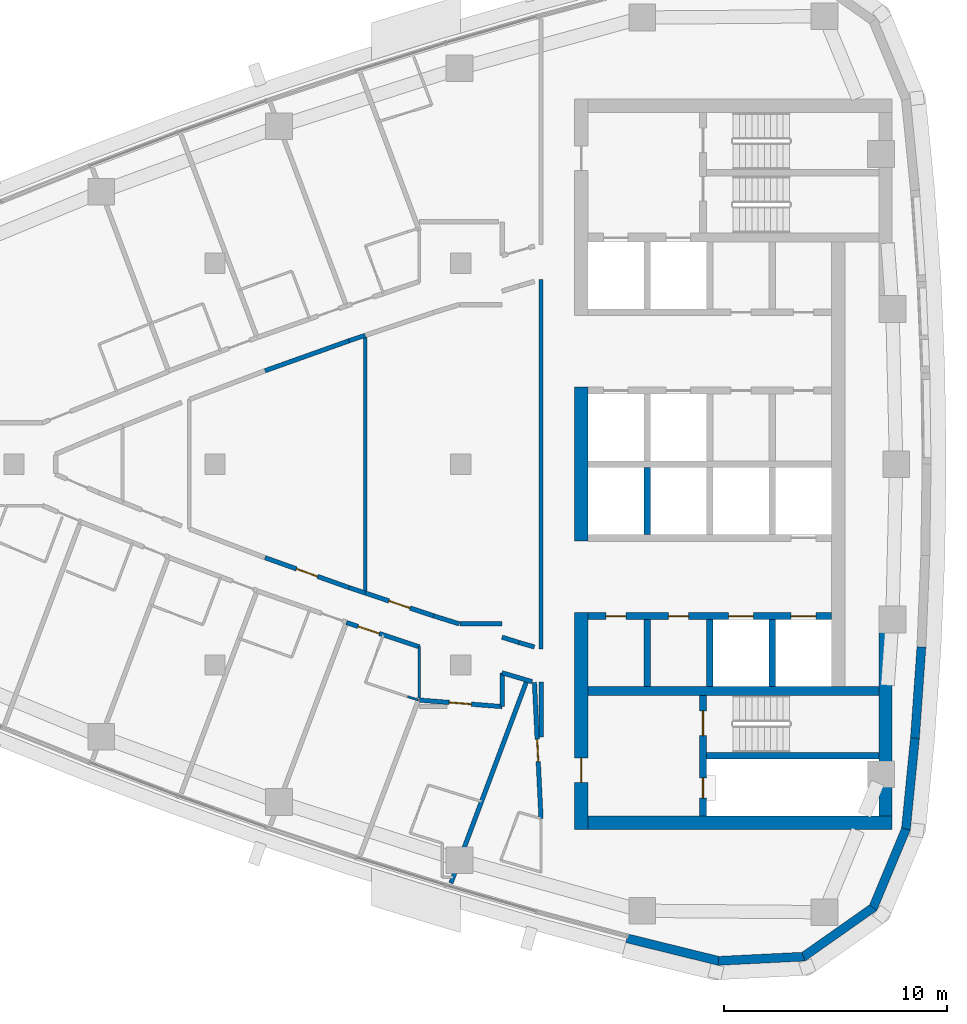
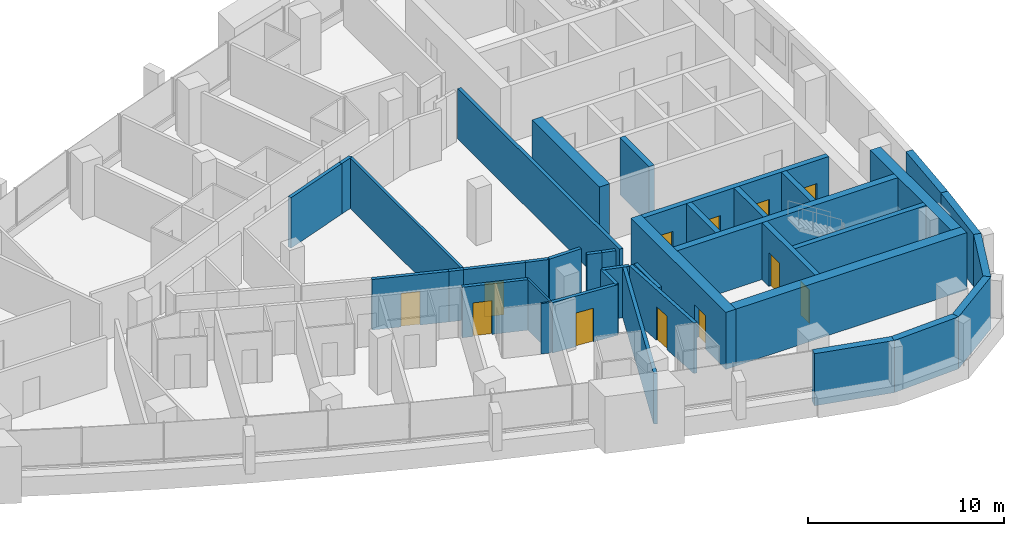
# One storey, part 10 of 16: 38 walls, 12 doors, 12 openings.
"""IFC4 building model written with IfcOpenShell, lengths in metres."""

from ifc_helpers import new_model, si_unit, direction, frame, frame_2d, origin, place, context, subcontext, project, spatial, polyline, rectangle, outline, extrude, material, layer, layer_set, type_object, element, fill, save


model = new_model("IFC4")

# Units and contexts
model_context = context("Model", 3, precision=1e-05, world=origin(), true_north=direction((0.0, 1.0)))
body_context = subcontext(model_context, "Body", "Model", "MODEL_VIEW")
ifc_project = project(units=[si_unit("LENGTHUNIT", "METRE"), si_unit("AREAUNIT", "SQUARE_METRE"), si_unit("VOLUMEUNIT", "CUBIC_METRE"), si_unit("PLANEANGLEUNIT", "RADIAN"), si_unit("MASSUNIT", "GRAM", prefix="KILO")], contexts=[model_context])

# Site, building, storey
site_placement = place(None, origin())
site = spatial("IfcSite", under=ifc_project, at=site_placement, CompositionType="ELEMENT")
building_placement = place(site_placement, origin())
building = spatial("IfcBuilding", under=site, at=building_placement, Name="Ostrand Prow Hotel Tower", CompositionType="ELEMENT")
storey_placement = place(building_placement, frame((0.0, 0.0, 252.75)))
storey = spatial("IfcBuildingStorey", under=building, at=storey_placement, Name="L64", CompositionType="ELEMENT", Elevation=252.75)

# Wall, openings, doors
ifc_material_1 = material(Name="Concrete C50/60", Category="concrete")
ifc_layer_1 = layer(ifc_material_1, 0.300048828125)
ifc_layer_set_1 = layer_set([ifc_layer_1], Name="Concrete C50/60")
wall_type_1 = type_object("IfcWallType", Name="Core wall 300 C50/60", PredefinedType="SHEAR", material=ifc_layer_set_1)
wall_1_placement = place(storey_placement, frame((50.699951171875, -6.800048828125, 0.0), z_axis=(0.0, 0.0, 1.0), x_axis=(1.0, 0.0, 0.0)))
wall_1 = element("IfcWall", 1, at=wall_1_placement, inside=storey, type_object=wall_type_1, Name="Core wall PW-L2-S", PredefinedType="SHEAR", context=body_context, shape_type="SweptSolid", body=[
    extrude(rectangle(XDim=10.900146484375, YDim=0.300048828125, at=frame_2d((5.4501953125, 0.0))), origin(), (0.0, 0.0, 1.0), 3.550048828125),
])
opening_1_placement = place(wall_1_placement, frame((6.300048828125, 0.0, 0.0)))
opening_1 = element("IfcOpeningElement", 2, at=opening_1_placement, cuts=wall_1, Name="Opening LD", PredefinedType="OPENING", context=body_context, shape_type="SweptSolid", body=[
    extrude(rectangle(XDim=1.10009765625, YDim=2.10009765625, at=frame_2d((0.550048828125, 1.050048828125))), frame((0.0, 0.159912109375, 0.0), z_axis=(0.0, -1.0, 0.0), x_axis=(1.0, 0.0, 0.0)), (0.0, 0.0, 1.0), 0.320068359375),
])
opening_2_placement = place(wall_1_placement, frame((9.10009765625, 0.0, 0.0)))
opening_2 = element("IfcOpeningElement", 3, at=opening_2_placement, cuts=wall_1, Name="Opening LD", PredefinedType="OPENING", context=body_context, shape_type="SweptSolid", body=[
    extrude(rectangle(XDim=1.10009765625, YDim=2.10009765625, at=frame_2d((0.550048828125, 1.050048828125))), frame((0.0, 0.159912109375, 0.0), z_axis=(0.0, -1.0, 0.0), x_axis=(1.0, 0.0, 0.0)), (0.0, 0.0, 1.0), 0.320068359375),
])
opening_3_placement = place(wall_1_placement, frame((0.800048828125, 0.0, 0.0)))
opening_3 = element("IfcOpeningElement", 4, at=opening_3_placement, cuts=wall_1, Name="Opening FD2", PredefinedType="OPENING", context=body_context, shape_type="SweptSolid", body=[
    extrude(rectangle(XDim=0.89990234375, YDim=2.10009765625, at=frame_2d((0.449951171875, 1.050048828125))), frame((0.0, 0.159912109375, 0.0), z_axis=(0.0, -1.0, 0.0), x_axis=(1.0, 0.0, 0.0)), (0.0, 0.0, 1.0), 0.320068359375),
])
opening_4_placement = place(wall_1_placement, frame((3.60009765625, 0.0, 0.0)))
opening_4 = element("IfcOpeningElement", 5, at=opening_4_placement, cuts=wall_1, Name="Opening FD2", PredefinedType="OPENING", context=body_context, shape_type="SweptSolid", body=[
    extrude(rectangle(XDim=0.89990234375, YDim=2.10009765625, at=frame_2d((0.449951171875, 1.050048828125))), frame((0.0, 0.159912109375, 0.0), z_axis=(0.0, -1.0, 0.0), x_axis=(1.0, 0.0, 0.0)), (0.0, 0.0, 1.0), 0.320068359375),
])
ifc_material_2 = material(Name="Steel fire door", Category="steel")
door_type_1 = type_object("IfcDoorType", Name="Fire door 900 EI120", OperationType="SINGLE_SWING_LEFT", PredefinedType="DOOR", material=ifc_material_2)
door_1_placement = place(opening_3_placement, origin())
door_1 = element("IfcDoor", 6, at=door_1_placement, inside=storey, type_object=door_type_1, Name="DOOR", OperationType="SINGLE_SWING_LEFT", OverallHeight=2.10009765625, OverallWidth=0.89990234375, PredefinedType="DOOR", context=body_context, shape_type="SweptSolid", body=[
    extrude(rectangle(XDim=0.89990234375, YDim=2.10009765625, at=frame_2d((0.449951171875, 1.050048828125))), frame((0.0, 0.02490234375, 0.0), z_axis=(0.0, -1.0, 0.0), x_axis=(1.0, 0.0, 0.0)), (0.0, 0.0, 1.0), 0.050048828125),
])
fill(opening_3, door_1)
door_2_placement = place(opening_4_placement, origin())
door_2 = element("IfcDoor", 7, at=door_2_placement, inside=storey, type_object=door_type_1, Name="DOOR", OperationType="SINGLE_SWING_LEFT", OverallHeight=2.10009765625, OverallWidth=0.89990234375, PredefinedType="DOOR", context=body_context, shape_type="SweptSolid", body=[
    extrude(rectangle(XDim=0.89990234375, YDim=2.10009765625, at=frame_2d((0.449951171875, 1.050048828125))), frame((0.0, 0.02490234375, 0.0), z_axis=(0.0, -1.0, 0.0), x_axis=(1.0, 0.0, 0.0)), (0.0, 0.0, 1.0), 0.050048828125),
])
fill(opening_4, door_2)
ifc_material_3 = material(Name="Stainless steel door", Category="steel")
door_type_2 = type_object("IfcDoorType", Name="Lift landing door 1100", OperationType="DOUBLE_DOOR_SLIDING", PredefinedType="DOOR", material=ifc_material_3)
door_3_placement = place(opening_1_placement, origin())
door_3 = element("IfcDoor", 8, at=door_3_placement, inside=storey, type_object=door_type_2, Name="LIFT LANDING DOOR", OperationType="DOUBLE_DOOR_SLIDING", OverallHeight=2.10009765625, OverallWidth=1.10009765625, PredefinedType="DOOR", context=body_context, shape_type="SweptSolid", body=[
    extrude(rectangle(XDim=1.10009765625, YDim=2.10009765625, at=frame_2d((0.550048828125, 1.050048828125))), frame((0.0, 0.02490234375, 0.0), z_axis=(0.0, -1.0, 0.0), x_axis=(1.0, 0.0, 0.0)), (0.0, 0.0, 1.0), 0.050048828125),
])
fill(opening_1, door_3)
door_4_placement = place(opening_2_placement, origin())
door_4 = element("IfcDoor", 9, at=door_4_placement, inside=storey, type_object=door_type_2, Name="LIFT LANDING DOOR", OperationType="DOUBLE_DOOR_SLIDING", OverallHeight=2.10009765625, OverallWidth=1.10009765625, PredefinedType="DOOR", context=body_context, shape_type="SweptSolid", body=[
    extrude(rectangle(XDim=1.10009765625, YDim=2.10009765625, at=frame_2d((0.550048828125, 1.050048828125))), frame((0.0, 0.02490234375, 0.0), z_axis=(0.0, -1.0, 0.0), x_axis=(1.0, 0.0, 0.0)), (0.0, 0.0, 1.0), 0.050048828125),
])
fill(opening_2, door_4)

# Walls
for number, where, z_axis, x_axis, name in (
    (10, (53.35009765625, -3.14990234375, 0.0), (0.0, 0.0, 1.0), (0.0, 1.0, 0.0), "Core wall PW-R1-SB"),
    (11, (53.35009765625, -9.949951171875, 0.0), (0.0, 0.0, 1.0), (0.0, 1.0, 0.0), "Core wall PW-R1-SA"),
    (12, (56.14990234375, -9.949951171875, 0.0), (0.0, 0.0, 1.0), (0.0, 1.0, 0.0), "Core wall PW-R2-SA"),
    (13, (58.949951171875, -9.949951171875, 0.0), (0.0, 0.0, 1.0), (0.0, 1.0, 0.0), "Core wall PW-R3-SA"),
):
    element("IfcWall", number, at=place(storey_placement, frame(where, z_axis=z_axis, x_axis=x_axis)), inside=storey, type_object=wall_type_1, Name=name, PredefinedType="SHEAR", context=body_context, shape_type="SweptSolid", body=[
        extrude(rectangle(XDim=3.0, YDim=0.300048828125, at=frame_2d((1.5, 0.0))), origin(), (0.0, 0.0, 1.0), 3.550048828125),
    ])

# Wall, openings, doors
wall_2_placement = place(storey_placement, frame((55.85009765625, -15.75, 0.0), z_axis=(0.0, 0.0, 1.0), x_axis=(0.0, 1.0, 0.0)))
wall_2 = element("IfcWall", 14, at=wall_2_placement, inside=storey, type_object=wall_type_1, Name="Core wall PW-VS", PredefinedType="SHEAR", context=body_context, shape_type="SweptSolid", body=[
    extrude(rectangle(XDim=5.39990234375, YDim=0.300048828125, at=frame_2d((2.699951171875, 0.0))), origin(), (0.0, 0.0, 1.0), 3.550048828125),
])
opening_5_placement = place(wall_2_placement, frame((3.60009765625, 0.0, 0.0)))
opening_5 = element("IfcOpeningElement", 15, at=opening_5_placement, cuts=wall_2, Name="Opening FD1", PredefinedType="OPENING", context=body_context, shape_type="SweptSolid", body=[
    extrude(rectangle(XDim=1.10009765625, YDim=2.10009765625, at=frame_2d((0.550048828125, 1.050048828125))), frame((0.0, 0.159912109375, 0.0), z_axis=(0.0, -1.0, 0.0), x_axis=(1.0, 0.0, 0.0)), (0.0, 0.0, 1.0), 0.320068359375),
])
opening_6_placement = place(wall_2_placement, frame((0.800048828125, 0.0, 0.0)))
opening_6 = element("IfcOpeningElement", 16, at=opening_6_placement, cuts=wall_2, Name="Opening FD2", PredefinedType="OPENING", context=body_context, shape_type="SweptSolid", body=[
    extrude(rectangle(XDim=0.89990234375, YDim=2.10009765625, at=frame_2d((0.449951171875, 1.050048828125))), frame((0.0, 0.159912109375, 0.0), z_axis=(0.0, -1.0, 0.0), x_axis=(1.0, 0.0, 0.0)), (0.0, 0.0, 1.0), 0.320068359375),
])
ifc_material_4 = material(Name="Steel fire door", Category="steel")
door_type_3 = type_object("IfcDoorType", Name="Fire door 1100 EI120", OperationType="SINGLE_SWING_RIGHT", PredefinedType="DOOR", material=ifc_material_4)
door_5_placement = place(opening_5_placement, origin())
door_5 = element("IfcDoor", 17, at=door_5_placement, inside=storey, type_object=door_type_3, Name="FIRE DOOR", OperationType="SINGLE_SWING_RIGHT", OverallHeight=2.10009765625, OverallWidth=1.10009765625, PredefinedType="DOOR", context=body_context, shape_type="SweptSolid", body=[
    extrude(rectangle(XDim=1.10009765625, YDim=2.10009765625, at=frame_2d((0.550048828125, 1.050048828125))), frame((0.0, 0.02490234375, 0.0), z_axis=(0.0, -1.0, 0.0), x_axis=(1.0, 0.0, 0.0)), (0.0, 0.0, 1.0), 0.050048828125),
])
fill(opening_5, door_5)
door_6_placement = place(opening_6_placement, origin())
door_6 = element("IfcDoor", 18, at=door_6_placement, inside=storey, type_object=door_type_1, Name="FIRE DOOR", OperationType="SINGLE_SWING_LEFT", OverallHeight=2.10009765625, OverallWidth=0.89990234375, PredefinedType="DOOR", context=body_context, shape_type="SweptSolid", body=[
    extrude(rectangle(XDim=0.89990234375, YDim=2.10009765625, at=frame_2d((0.449951171875, 1.050048828125))), frame((0.0, 0.02490234375, 0.0), z_axis=(0.0, -1.0, 0.0), x_axis=(1.0, 0.0, 0.0)), (0.0, 0.0, 1.0), 0.050048828125),
])
fill(opening_6, door_6)

# Walls
wall_3_placement = place(storey_placement, frame((56.0, -13.050048828125, 0.0), z_axis=(0.0, 0.0, 1.0), x_axis=(1.0, 0.0, 0.0)))
element("IfcWall", 19, at=wall_3_placement, inside=storey, type_object=wall_type_1, Name="Core wall PW-ST2R", PredefinedType="SHEAR", context=body_context, shape_type="SweptSolid", body=[
    extrude(rectangle(XDim=7.719970703125, YDim=0.300048828125, at=frame_2d((3.85986328125, 0.0))), origin(), (0.0, 0.0, 1.0), 3.550048828125),
])
ifc_material_5 = material(Name="Concrete C50/60", Category="concrete")
ifc_layer_2 = layer(ifc_material_5, 0.39990234375)
ifc_layer_set_2 = layer_set([ifc_layer_2], Name="Concrete C50/60")
wall_type_2 = type_object("IfcWallType", Name="Core wall 400 C50/60", PredefinedType="SHEAR", material=ifc_layer_set_2)
wall_4_placement = place(storey_placement, frame((50.699951171875, -10.14990234375, 0.0), z_axis=(0.0, 0.0, 1.0), x_axis=(1.0, 0.0, 0.0)))
element("IfcWall", 20, at=wall_4_placement, inside=storey, type_object=wall_type_2, Name="Core wall PW-BS", PredefinedType="SHEAR", context=body_context, shape_type="SweptSolid", body=[
    extrude(rectangle(XDim=13.02001953125, YDim=0.39990234375, at=frame_2d((6.510009765625, 0.0))), origin(), (0.0, 0.0, 1.0), 3.550048828125),
])
ifc_material_6 = material(Name="Concrete C50/60", Category="concrete")
ifc_layer_3 = layer(ifc_material_6, 0.60009765625)
ifc_layer_set_3 = layer_set([ifc_layer_3], Name="Concrete C50/60")
wall_type_3 = type_object("IfcWallType", Name="Core wall 600 C50/60", PredefinedType="SHEAR", material=ifc_layer_set_3)
wall_5_placement = place(storey_placement, frame((50.39990234375, -3.449951171875, 0.0), z_axis=(0.0, 0.0, 1.0), x_axis=(0.0, 1.0, 0.0)))
element("IfcWall", 21, at=wall_5_placement, inside=storey, type_object=wall_type_3, Name="Core wall CW-W-C", PredefinedType="SHEAR", context=body_context, shape_type="SweptSolid", body=[
    extrude(rectangle(XDim=6.89990234375, YDim=0.60009765625, at=frame_2d((3.449951171875, 0.0))), origin(), (0.0, 0.0, 1.0), 3.550048828125),
])

# Wall, opening, door
wall_6_placement = place(storey_placement, frame((50.39990234375, -16.35009765625, 0.0), z_axis=(0.0, 0.0, 1.0), x_axis=(0.0, 1.0, 0.0)))
wall_6 = element("IfcWall", 22, at=wall_6_placement, inside=storey, type_object=wall_type_3, Name="Core wall CW-W-S", PredefinedType="SHEAR", context=body_context, shape_type="SweptSolid", body=[
    extrude(rectangle(XDim=9.7001953125, YDim=0.60009765625, at=frame_2d((4.85009765625, 0.0))), origin(), (0.0, 0.0, 1.0), 3.550048828125),
])
opening_7_placement = place(wall_6_placement, frame((2.10009765625, 0.0, 0.0)))
opening_7 = element("IfcOpeningElement", 23, at=opening_7_placement, cuts=wall_6, Name="Opening FD1", PredefinedType="OPENING", context=body_context, shape_type="SweptSolid", body=[
    extrude(rectangle(XDim=1.10009765625, YDim=2.10009765625, at=frame_2d((0.550048828125, 1.050048828125))), frame((0.0, 0.31005859375, 0.0), z_axis=(0.0, -1.0, 0.0), x_axis=(1.0, 0.0, 0.0)), (0.0, 0.0, 1.0), 0.6201171875),
])
door_7_placement = place(opening_7_placement, origin())
door_7 = element("IfcDoor", 24, at=door_7_placement, inside=storey, type_object=door_type_3, Name="FIRE DOOR", OperationType="SINGLE_SWING_RIGHT", OverallHeight=2.10009765625, OverallWidth=1.10009765625, PredefinedType="DOOR", context=body_context, shape_type="SweptSolid", body=[
    extrude(rectangle(XDim=1.10009765625, YDim=2.10009765625, at=frame_2d((0.550048828125, 1.050048828125))), frame((0.0, 0.02490234375, 0.0), z_axis=(0.0, -1.0, 0.0), x_axis=(1.0, 0.0, 0.0)), (0.0, 0.0, 1.0), 0.050048828125),
])
fill(opening_7, door_7)

# Walls
wall_7_placement = place(storey_placement, frame((50.699951171875, -16.050048828125, 0.0), z_axis=(0.0, 0.0, 1.0), x_axis=(1.0, 0.0, 0.0)))
element("IfcWall", 25, at=wall_7_placement, inside=storey, type_object=wall_type_3, Name="Core wall CW-S", PredefinedType="SHEAR", context=body_context, shape_type="SweptSolid", body=[
    extrude(rectangle(XDim=13.6201171875, YDim=0.60009765625, at=frame_2d((6.81005859375, 0.0))), origin(), (0.0, 0.0, 1.0), 3.550048828125),
])
wall_8_placement = place(storey_placement, frame((64.02001953125, -15.75, 0.0), z_axis=(0.0, 0.0, 1.0), x_axis=(0.0, 1.0, 0.0)))
element("IfcWall", 26, at=wall_8_placement, inside=storey, type_object=wall_type_3, Name="Core wall CW-E-S", PredefinedType="SHEAR", context=body_context, shape_type="SweptSolid", body=[
    extrude(rectangle(XDim=8.247802734375, YDim=0.60009765625, at=frame_2d((4.1240234375, 0.0))), origin(), (0.0, 0.0, 1.0), 3.550048828125),
])
ifc_material_7 = material(Name="Plasterboard partition")
ifc_layer_4 = layer(ifc_material_7, 0.10009765625)
ifc_layer_set_4 = layer_set([ifc_layer_4], Name="Plasterboard partition")
wall_type_4 = type_object("IfcWallType", Name="Partition 100 bathroom wall", PredefinedType="PARTITIONING", material=ifc_layer_set_4)
wall_9_placement = place(storey_placement, frame((43.108154296875, -10.5615234375, 0.0), z_axis=(0.0, 0.0, 1.0), x_axis=(-0.954624465478, 0.297812239356, 0.0)))
element("IfcWall", 27, at=wall_9_placement, inside=storey, type_object=wall_type_4, Name="BATHROOM WALL", PredefinedType="PARTITIONING", context=body_context, shape_type="SweptSolid", body=[
    extrude(rectangle(XDim=0.5107421875, YDim=0.10009765625, at=frame_2d((0.25537109375, 0.0))), origin(), (0.0, 0.0, 1.0), 3.14990234375),
])
wall_10_placement = place(storey_placement, frame((43.14501953125, -8.1650390625, 0.0), z_axis=(0.0, 0.0, 1.0), x_axis=(0.0, -1.0, 0.0)))
element("IfcWall", 28, at=wall_10_placement, inside=storey, type_object=wall_type_4, Name="BATHROOM WALL", PredefinedType="PARTITIONING", context=body_context, shape_type="SweptSolid", body=[
    extrude(rectangle(XDim=2.29833984375, YDim=0.10009765625, at=frame_2d((1.149169921875, 0.0))), origin(), (0.0, 0.0, 1.0), 3.14990234375),
])
ifc_material_8 = material(Name="Plasterboard partition")
ifc_layer_5 = layer(ifc_material_8, 0.14990234375)
ifc_layer_set_5 = layer_set([ifc_layer_5], Name="Plasterboard partition")
wall_type_5 = type_object("IfcWallType", Name="Partition 150 room partition", PredefinedType="PARTITIONING", material=ifc_layer_set_5)
wall_11_placement = place(storey_placement, frame((40.72509765625, -5.77001953125, 0.0), z_axis=(0.0, 0.0, 1.0), x_axis=(0.0, 1.0, 0.0)))
element("IfcWall", 29, at=wall_11_placement, inside=storey, type_object=wall_type_5, Name="ROOM PARTITION", PredefinedType="PARTITIONING", context=body_context, shape_type="SweptSolid", body=[
    extrude(rectangle(XDim=11.5400390625, YDim=0.14990234375, at=frame_2d((5.77001953125, 0.0))), origin(), (0.0, 0.0, 1.0), 3.14990234375),
])

# Wall, opening, door
ifc_material_9 = material(Name="Plasterboard partition")
ifc_layer_6 = layer(ifc_material_9, 0.199951171875)
ifc_layer_set_6 = layer_set([ifc_layer_6], Name="Plasterboard partition")
wall_type_6 = type_object("IfcWallType", Name="Partition 200 corridor wall", PredefinedType="PARTITIONING", material=ifc_layer_set_6)
wall_12_placement = place(storey_placement, frame((39.88232421875, -7.091064453125, 0.0), z_axis=(0.0, 0.0, 1.0), x_axis=(0.948477584784, -0.316844238013, 0.0)))
wall_12 = element("IfcWall", 30, at=wall_12_placement, inside=storey, type_object=wall_type_6, Name="CORRIDOR WALL", PredefinedType="PARTITIONING", context=body_context, shape_type="SweptSolid", body=[
    extrude(rectangle(XDim=3.445068359375, YDim=0.199951171875, at=frame_2d((1.72265625, 0.0))), origin(), (0.0, 0.0, 1.0), 3.14990234375),
])
opening_8_placement = place(wall_12_placement, frame((0.550048828125, 0.0, 0.0)))
opening_8 = element("IfcOpeningElement", 31, at=opening_8_placement, cuts=wall_12, Name="Opening D1", PredefinedType="OPENING", context=body_context, shape_type="SweptSolid", body=[
    extrude(rectangle(XDim=1.0, YDim=2.10009765625, at=frame_2d((0.5, 1.050048828125))), frame((0.0, 0.10986328125, 0.0), z_axis=(0.0, -1.0, 0.0), x_axis=(1.0, 0.0, 0.0)), (0.0, 0.0, 1.0), 0.219970703125),
])
ifc_material_10 = material(Name="Timber door leaf", Category="wood")
door_type_4 = type_object("IfcDoorType", Name="Guest room door 1000", OperationType="SINGLE_SWING_LEFT", PredefinedType="DOOR", material=ifc_material_10)
door_8_placement = place(opening_8_placement, origin())
door_8 = element("IfcDoor", 32, at=door_8_placement, inside=storey, type_object=door_type_4, Name="DOOR", OperationType="SINGLE_SWING_LEFT", OverallHeight=2.10009765625, OverallWidth=1.0, PredefinedType="DOOR", context=body_context, shape_type="SweptSolid", body=[
    extrude(rectangle(XDim=1.0, YDim=2.10009765625, at=frame_2d((0.5, 1.050048828125))), frame((0.0, 0.02490234375, 0.0), z_axis=(0.0, -1.0, 0.0), x_axis=(1.0, 0.0, 0.0)), (0.0, 0.0, 1.0), 0.050048828125),
])
fill(opening_8, door_8)

# Wall
wall_13_placement = place(storey_placement, frame((46.85009765625, -9.340087890625, 0.0), z_axis=(0.0, 0.0, 1.0), x_axis=(0.958866391875, -0.283857785753, 0.0)))
element("IfcWall", 33, at=wall_13_placement, inside=storey, type_object=wall_type_6, Name="CORRIDOR WALL", PredefinedType="PARTITIONING", context=body_context, shape_type="SweptSolid", body=[
    extrude(rectangle(XDim=1.40625, YDim=0.199951171875, at=frame_2d((0.703125, 0.0))), origin(), (0.0, 0.0, 1.0), 3.14990234375),
])

# Wall, opening, door
wall_14_placement = place(storey_placement, frame((39.999267578125, -5.52734375, 0.0), z_axis=(0.0, 0.0, 1.0), x_axis=(-0.941909090846, 0.335867927288, 0.0)))
wall_14 = element("IfcWall", 34, at=wall_14_placement, inside=storey, type_object=wall_type_6, Name="CORRIDOR WALL", PredefinedType="PARTITIONING", context=body_context, shape_type="SweptSolid", body=[
    extrude(rectangle(XDim=3.9951171875, YDim=0.199951171875, at=frame_2d((1.99755859375, 0.0))), origin(), (0.0, 0.0, 1.0), 3.14990234375),
])
opening_9_placement = place(wall_14_placement, frame((1.49755859375, 0.0, 0.0)))
opening_9 = element("IfcOpeningElement", 35, at=opening_9_placement, cuts=wall_14, Name="Opening D1R", PredefinedType="OPENING", context=body_context, shape_type="SweptSolid", body=[
    extrude(rectangle(XDim=1.0, YDim=2.10009765625, at=frame_2d((0.5, 1.050048828125))), frame((0.0, 0.10986328125, 0.0), z_axis=(0.0, -1.0, 0.0), x_axis=(1.0, 0.0, 0.0)), (0.0, 0.0, 1.0), 0.219970703125),
])
ifc_material_11 = material(Name="Timber door leaf", Category="wood")
door_type_5 = type_object("IfcDoorType", Name="Guest room door 1000 right", OperationType="SINGLE_SWING_RIGHT", PredefinedType="DOOR", material=ifc_material_11)
door_9_placement = place(opening_9_placement, origin())
door_9 = element("IfcDoor", 36, at=door_9_placement, inside=storey, type_object=door_type_5, Name="DOOR", OperationType="SINGLE_SWING_RIGHT", OverallHeight=2.10009765625, OverallWidth=1.0, PredefinedType="DOOR", context=body_context, shape_type="SweptSolid", body=[
    extrude(rectangle(XDim=1.0, YDim=2.10009765625, at=frame_2d((0.5, 1.050048828125))), frame((0.0, 0.02490234375, 0.0), z_axis=(0.0, -1.0, 0.0), x_axis=(1.0, 0.0, 0.0)), (0.0, 0.0, 1.0), 0.050048828125),
])
fill(opening_9, door_9)

# Walls
for number, where, z_axis, x_axis, name in (
    (37, (39.999267578125, 5.52734375, 0.0), (0.0, 0.0, 1.0), (0.948395804395, 0.317088943683, 0.0), "CORRIDOR WALL"),
    (38, (40.72509765625, -5.77001953125, 0.0), (0.0, 0.0, 1.0), (-0.948395804395, 0.317088943683, 0.0), "CORRIDOR WALL"),
):
    element("IfcWall", number, at=place(storey_placement, frame(where, z_axis=z_axis, x_axis=x_axis)), inside=storey, type_object=wall_type_6, Name=name, PredefinedType="PARTITIONING", context=body_context, shape_type="SweptSolid", body=[
        extrude(rectangle(XDim=0.765380859375, YDim=0.199951171875, at=frame_2d((0.3828125, 0.0))), origin(), (0.0, 0.0, 1.0), 3.14990234375),
    ])
wall_15_placement = place(storey_placement, frame((36.236328125, 4.185546875, 0.0), z_axis=(0.0, 0.0, 1.0), x_axis=(0.941909090846, 0.335867927288, 0.0)))
element("IfcWall", 39, at=wall_15_placement, inside=storey, type_object=wall_type_6, Name="CORRIDOR WALL", PredefinedType="PARTITIONING", context=body_context, shape_type="SweptSolid", body=[
    extrude(rectangle(XDim=3.9951171875, YDim=0.199951171875, at=frame_2d((1.99755859375, 0.0))), origin(), (0.0, 0.0, 1.0), 3.14990234375),
])

# Wall, opening, door
wall_16_placement = place(storey_placement, frame((43.788330078125, -6.793212890625, 0.0), z_axis=(0.0, 0.0, 1.0), x_axis=(-0.948486568618, 0.316817343515, 0.0)))
wall_16 = element("IfcWall", 40, at=wall_16_placement, inside=storey, type_object=wall_type_6, Name="CORRIDOR WALL", PredefinedType="PARTITIONING", context=body_context, shape_type="SweptSolid", body=[
    extrude(rectangle(XDim=3.2294921875, YDim=0.199951171875, at=frame_2d((1.61474609375, 0.0))), origin(), (0.0, 0.0, 1.0), 3.14990234375),
])
opening_10_placement = place(wall_16_placement, frame((1.114990234375, 0.0, 0.0)))
opening_10 = element("IfcOpeningElement", 41, at=opening_10_placement, cuts=wall_16, Name="Opening D1", PredefinedType="OPENING", context=body_context, shape_type="SweptSolid", body=[
    extrude(rectangle(XDim=1.0, YDim=2.10009765625, at=frame_2d((0.5, 1.050048828125))), frame((0.0, 0.10986328125, 0.0), z_axis=(0.0, -1.0, 0.0), x_axis=(1.0, 0.0, 0.0)), (0.0, 0.0, 1.0), 0.219970703125),
])
door_10_placement = place(opening_10_placement, origin())
door_10 = element("IfcDoor", 42, at=door_10_placement, inside=storey, type_object=door_type_4, Name="DOOR", OperationType="SINGLE_SWING_LEFT", OverallHeight=2.10009765625, OverallWidth=1.0, PredefinedType="DOOR", context=body_context, shape_type="SweptSolid", body=[
    extrude(rectangle(XDim=1.0, YDim=2.10009765625, at=frame_2d((0.5, 1.050048828125))), frame((0.0, 0.02490234375, 0.0), z_axis=(0.0, -1.0, 0.0), x_axis=(1.0, 0.0, 0.0)), (0.0, 0.0, 1.0), 0.050048828125),
])
fill(opening_10, door_10)

# Walls
wall_17_placement = place(storey_placement, frame((47.60205078125, -7.982421875, 0.0), z_axis=(0.0, 0.0, 1.0), x_axis=(-0.95461224237, 0.297851417181, 0.0)))
element("IfcWall", 43, at=wall_17_placement, inside=storey, type_object=wall_type_6, Name="CORRIDOR WALL", PredefinedType="PARTITIONING", context=body_context, shape_type="SweptSolid", body=[
    extrude(rectangle(XDim=0.78759765625, YDim=0.199951171875, at=frame_2d((0.393798828125, 0.0))), origin(), (0.0, 0.0, 1.0), 3.14990234375),
])
wall_18_placement = place(storey_placement, frame((44.9326171875, -7.14990234375, 0.0), z_axis=(0.0, 0.0, 1.0), x_axis=(-0.954693570678, 0.29759063511, 0.0)))
element("IfcWall", 44, at=wall_18_placement, inside=storey, type_object=wall_type_6, Name="CORRIDOR WALL", PredefinedType="PARTITIONING", context=body_context, shape_type="SweptSolid", body=[
    extrude(rectangle(XDim=1.198486328125, YDim=0.199951171875, at=frame_2d((0.59912109375, 0.0))), origin(), (0.0, 0.0, 1.0), 3.14990234375),
])
wall_19_placement = place(storey_placement, frame((48.300048828125, -8.184814453125, 0.0), z_axis=(0.0, 0.0, 1.0), x_axis=(-0.960439023181, 0.278490363839, 0.0)))
element("IfcWall", 45, at=wall_19_placement, inside=storey, type_object=wall_type_6, Name="CORRIDOR WALL", PredefinedType="PARTITIONING", context=body_context, shape_type="SweptSolid", body=[
    extrude(rectangle(XDim=0.726806640625, YDim=0.199951171875, at=frame_2d((0.36328125, 0.0))), origin(), (0.0, 0.0, 1.0), 3.14990234375),
])

# Wall, opening, door
wall_20_placement = place(storey_placement, frame((43.157958984375, -10.5654296875, 0.0), z_axis=(0.0, 0.0, 1.0), x_axis=(0.996940593543, -0.078162989617, 0.0)))
wall_20 = element("IfcWall", 46, at=wall_20_placement, inside=storey, type_object=wall_type_6, Name="CORRIDOR WALL", PredefinedType="PARTITIONING", context=body_context, shape_type="SweptSolid", body=[
    extrude(rectangle(XDim=3.704345703125, YDim=0.199951171875, at=frame_2d((1.85205078125, 0.0))), origin(), (0.0, 0.0, 1.0), 3.14990234375),
])
opening_11_placement = place(wall_20_placement, frame((1.326904296875, 0.0, 0.0)))
opening_11 = element("IfcOpeningElement", 47, at=opening_11_placement, cuts=wall_20, Name="Opening D1R", PredefinedType="OPENING", context=body_context, shape_type="SweptSolid", body=[
    extrude(rectangle(XDim=1.0, YDim=2.10009765625, at=frame_2d((0.5, 1.050048828125))), frame((0.0, 0.10986328125, 0.0), z_axis=(0.0, -1.0, 0.0), x_axis=(1.0, 0.0, 0.0)), (0.0, 0.0, 1.0), 0.219970703125),
])
door_11_placement = place(opening_11_placement, origin())
door_11 = element("IfcDoor", 48, at=door_11_placement, inside=storey, type_object=door_type_5, Name="DOOR", OperationType="SINGLE_SWING_RIGHT", OverallHeight=2.10009765625, OverallWidth=1.0, PredefinedType="DOOR", context=body_context, shape_type="SweptSolid", body=[
    extrude(rectangle(XDim=1.0, YDim=2.10009765625, at=frame_2d((0.5, 1.050048828125))), frame((0.0, 0.02490234375, 0.0), z_axis=(0.0, -1.0, 0.0), x_axis=(1.0, 0.0, 0.0)), (0.0, 0.0, 1.0), 0.050048828125),
])
fill(opening_11, door_11)

wall_21_placement = place(storey_placement, frame((48.300048828125, -9.76708984375, 0.0), z_axis=(0.0, 0.0, 1.0), x_axis=(0.048302241024, -0.998832765538, 0.0)))
wall_21 = element("IfcWall", 49, at=wall_21_placement, inside=storey, type_object=wall_type_6, Name="CORRIDOR WALL", PredefinedType="PARTITIONING", context=body_context, shape_type="SweptSolid", body=[
    extrude(rectangle(XDim=6.105712890625, YDim=0.199951171875, at=frame_2d((3.052734375, 0.0))), origin(), (0.0, 0.0, 1.0), 3.14990234375),
])
opening_12_placement = place(wall_21_placement, frame((2.552978515625, 0.0, 0.0)))
opening_12 = element("IfcOpeningElement", 50, at=opening_12_placement, cuts=wall_21, Name="Opening D1", PredefinedType="OPENING", context=body_context, shape_type="SweptSolid", body=[
    extrude(rectangle(XDim=1.0, YDim=2.10009765625, at=frame_2d((0.5, 1.050048828125))), frame((0.0, 0.10986328125, 0.0), z_axis=(0.0, -1.0, 0.0), x_axis=(1.0, 0.0, 0.0)), (0.0, 0.0, 1.0), 0.219970703125),
])
door_12_placement = place(opening_12_placement, origin())
door_12 = element("IfcDoor", 51, at=door_12_placement, inside=storey, type_object=door_type_4, Name="DOOR", OperationType="SINGLE_SWING_LEFT", OverallHeight=2.10009765625, OverallWidth=1.0, PredefinedType="DOOR", context=body_context, shape_type="SweptSolid", body=[
    extrude(rectangle(XDim=1.0, YDim=2.10009765625, at=frame_2d((0.5, 1.050048828125))), frame((0.0, 0.02490234375, 0.0), z_axis=(0.0, -1.0, 0.0), x_axis=(1.0, 0.0, 0.0)), (0.0, 0.0, 1.0), 0.050048828125),
])
fill(opening_12, door_12)

# Walls
wall_22_placement = place(storey_placement, frame((48.594970703125, 8.264892578125, 0.0), z_axis=(0.0, 0.0, 1.0), x_axis=(0.0, -1.0, 0.0)))
element("IfcWall", 52, at=wall_22_placement, inside=storey, type_object=wall_type_6, Name="CORRIDOR WALL", PredefinedType="PARTITIONING", context=body_context, shape_type="SweptSolid", body=[
    extrude(rectangle(XDim=16.52978515625, YDim=0.199951171875, at=frame_2d((8.264892578125, 0.0))), origin(), (0.0, 0.0, 1.0), 3.14990234375),
])
wall_23_placement = place(storey_placement, frame((46.8515625, -7.145263671875, 0.0), z_axis=(0.0, 0.0, 1.0), x_axis=(-0.99999999156, 0.000129920747, 0.0)))
element("IfcWall", 53, at=wall_23_placement, inside=storey, type_object=wall_type_6, Name="CORRIDOR WALL", PredefinedType="PARTITIONING", context=body_context, shape_type="SweptSolid", body=[
    extrude(rectangle(XDim=1.879150390625, YDim=0.199951171875, at=frame_2d((0.939453125, 0.0))), origin(), (0.0, 0.0, 1.0), 3.14990234375),
])
wall_24_placement = place(storey_placement, frame((46.85107421875, -10.85498046875, 0.0), z_axis=(0.0, 0.0, 1.0), x_axis=(-0.000644641284, 0.999999792219, 0.0)))
element("IfcWall", 54, at=wall_24_placement, inside=storey, type_object=wall_type_6, Name="CORRIDOR WALL", PredefinedType="PARTITIONING", context=body_context, shape_type="SweptSolid", body=[
    extrude(rectangle(XDim=1.514892578125, YDim=0.199951171875, at=frame_2d((0.75732421875, 0.0))), origin(), (0.0, 0.0, 1.0), 3.14990234375),
])
wall_25_placement = place(storey_placement, frame((48.60009765625, -12.22412109375, 0.0), z_axis=(0.0, 0.0, 1.0), x_axis=(0.0, 1.0, 0.0)))
element("IfcWall", 55, at=wall_25_placement, inside=storey, type_object=wall_type_6, Name="CORRIDOR WALL", PredefinedType="PARTITIONING", context=body_context, shape_type="SweptSolid", body=[
    extrude(rectangle(XDim=2.468994140625, YDim=0.199951171875, at=frame_2d((1.234375, 0.0))), origin(), (0.0, 0.0, 1.0), 3.14990234375),
])
ifc_material_12 = material(Name="Plasterboard partition")
ifc_layer_7 = layer(ifc_material_12, 0.199951171875)
ifc_layer_set_7 = layer_set([ifc_layer_7], Name="Plasterboard partition")
wall_type_7 = type_object("IfcWallType", Name="Partition 200 key partition", PredefinedType="PARTITIONING", material=ifc_layer_set_7)
wall_26_placement = place(storey_placement, frame((44.560302734375, -18.76171875, 0.0), z_axis=(0.0, 0.0, 1.0), x_axis=(0.35112901071, 0.936327089129, 0.0)))
element("IfcWall", 56, at=wall_26_placement, inside=storey, type_object=wall_type_7, Name="KEY PARTITION", PredefinedType="PARTITIONING", context=body_context, shape_type="SweptSolid", body=[
    extrude(rectangle(XDim=9.6083984375, YDim=0.199951171875, at=frame_2d((4.80419921875, 0.0))), origin(), (0.0, 0.0, 1.0), 3.14990234375),
])
ifc_material_13 = material(Name="Precast concrete C40/50", Category="concrete")
ifc_layer_8 = layer(ifc_material_13, 0.39990234375)
ifc_layer_set_8 = layer_set([ifc_layer_8], Name="Precast concrete C40/50")
wall_type_8 = type_object("IfcWallType", Name="Stone-faced precast wall 400 mm", PredefinedType="NOTDEFINED", material=ifc_layer_set_8)
wall_27_placement = place(storey_placement, frame((52.440673828125, -21.229736328125, 0.0), z_axis=(0.0, 0.0, 1.0), x_axis=(0.970902342456, -0.23947576373, 0.0)))
element("IfcWall", 57, at=wall_27_placement, inside=storey, type_object=wall_type_8, Name="Stone-faced wall back 1", PredefinedType="NOTDEFINED", context=body_context, shape_type="SweptSolid", body=[
    extrude(outline(polyline([(0.0, -0.199951171875), (4.255126953125, -0.199951171875), (4.196533203125, 0.199951171875), (0.0, 0.199951171875), (0.0, -0.199951171875)])), origin(), (0.0, 0.0, 1.0), 3.25),
])
wall_28_placement = place(storey_placement, frame((56.54345703125, -22.24169921875, 0.0), z_axis=(0.0, 0.0, 1.0), x_axis=(0.998758875872, 0.049806705046, 0.0)))
element("IfcWall", 58, at=wall_28_placement, inside=storey, type_object=wall_type_8, Name="Stone-faced wall back 2", PredefinedType="NOTDEFINED", context=body_context, shape_type="SweptSolid", body=[
    extrude(outline(polyline([(-0.029296875, -0.199951171875), (3.871337890625, -0.199951171875), (3.755615234375, 0.199951171875), (0.029296875, 0.199951171875), (-0.029296875, -0.199951171875)])), origin(), (0.0, 0.0, 1.0), 3.25),
])
wall_29_placement = place(storey_placement, frame((60.352294921875, -22.0517578125, 0.0), z_axis=(0.0, 0.0, 1.0), x_axis=(0.817942545532, 0.575299915009, 0.0)))
element("IfcWall", 59, at=wall_29_placement, inside=storey, type_object=wall_type_8, Name="Stone-faced wall back 3", PredefinedType="NOTDEFINED", context=body_context, shape_type="SweptSolid", body=[
    extrude(outline(polyline([(-0.057861328125, -0.199951171875), (3.871337890625, -0.199951171875), (3.755615234375, 0.199951171875), (0.057861328125, 0.199951171875), (-0.057861328125, -0.199951171875)])), origin(), (0.0, 0.0, 1.0), 3.25),
])
wall_30_placement = place(storey_placement, frame((63.471435546875, -19.85791015625, 0.0), z_axis=(0.0, 0.0, 1.0), x_axis=(0.3844335483, 0.923152667191, 0.0)))
element("IfcWall", 60, at=wall_30_placement, inside=storey, type_object=wall_type_8, Name="Stone-faced wall back 4", PredefinedType="NOTDEFINED", context=body_context, shape_type="SweptSolid", body=[
    extrude(outline(polyline([(-0.057861328125, -0.199951171875), (3.84326171875, -0.199951171875), (3.78369140625, 0.199951171875), (0.057861328125, 0.199951171875), (-0.057861328125, -0.199951171875)])), origin(), (0.0, 0.0, 1.0), 3.25),
])
wall_31_placement = place(storey_placement, frame((64.9375, -16.33740234375, 0.0), z_axis=(0.0, 0.0, 1.0), x_axis=(0.098718218066, 0.995115427185, 0.0)))
element("IfcWall", 61, at=wall_31_placement, inside=storey, type_object=wall_type_8, Name="Stone-faced wall back 5", PredefinedType="NOTDEFINED", context=body_context, shape_type="SweptSolid", body=[
    extrude(outline(polyline([(-0.02978515625, -0.199951171875), (4.095703125, -0.199951171875), (4.09033203125, 0.199951171875), (0.02978515625, 0.199951171875), (-0.02978515625, -0.199951171875)])), origin(), (0.0, 0.0, 1.0), 3.25),
])
wall_32_placement = place(storey_placement, frame((65.341552734375, -12.264404296875, 0.0), z_axis=(0.0, 0.0, 1.0), x_axis=(0.070623905352, 0.997503014528, 0.0)))
element("IfcWall", 62, at=wall_32_placement, inside=storey, type_object=wall_type_8, Name="Stone-faced wall back 6", PredefinedType="NOTDEFINED", context=body_context, shape_type="SweptSolid", body=[
    extrude(outline(polyline([(-0.002685546875, -0.199951171875), (4.095703125, -0.199951171875), (4.09033203125, 0.199951171875), (0.002685546875, 0.199951171875), (-0.002685546875, -0.199951171875)])), origin(), (0.0, 0.0, 1.0), 3.25),
])

save(model, "model.ifc")
